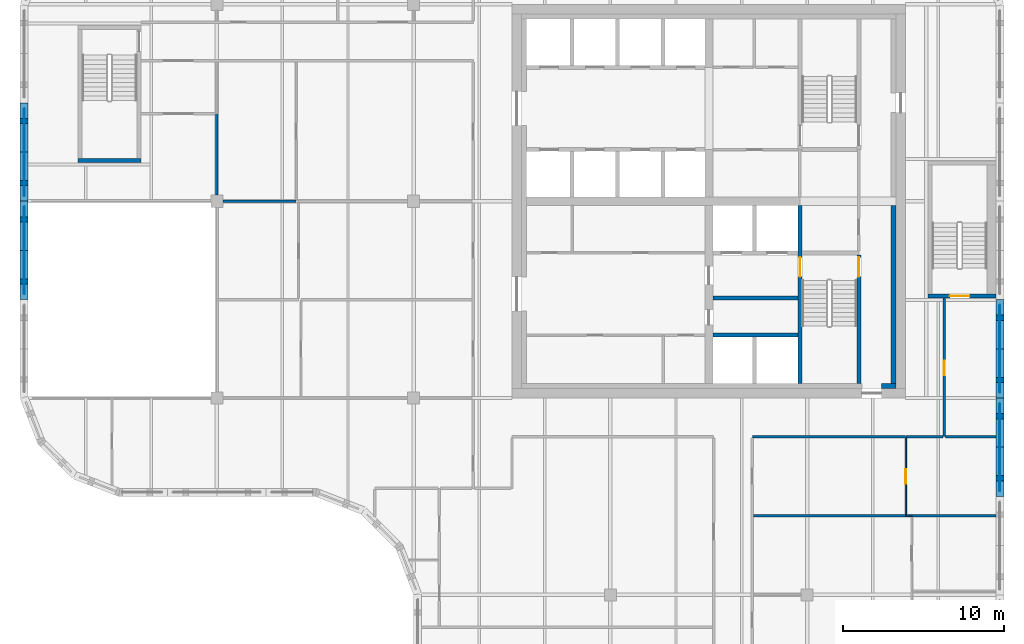
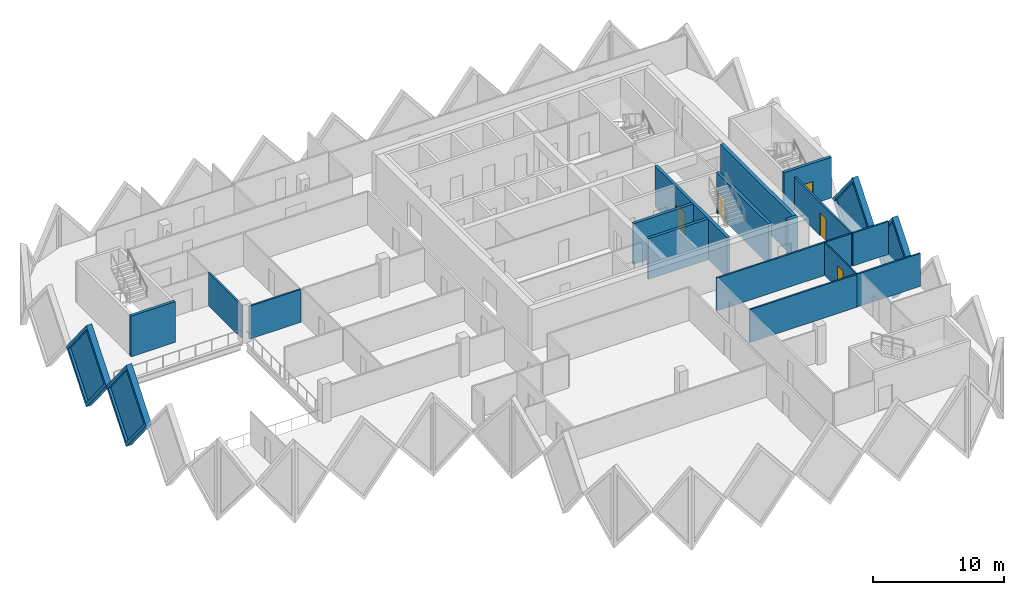
# One storey, part 6 of 12: 22 walls, 5 doors, 4 plates, 9 openings.
"""IFC4 building model written with IfcOpenShell, lengths in metres."""

import ifcopenshell
import ifcopenshell.guid

model = None  # the IFC model being written
_history = None  # IfcOwnerHistory: only IFC2X3 demands one
_inside = {}  # id of a spatial element -> (the spatial element, [elements in it])
_under = {}  # id of a project, library or spatial element -> (it, [spatial elements below it])
_declared = {}  # id of a project -> (the project, [libraries it declares])
_typed = {}  # id of a type object -> (the type object, [elements of that type])
_made_of = {}  # id of a material, layer set ... -> (it, [elements and type objects made of it])


def new_model(schema):
    """Start an empty IFC model of exactly this schema.

    Asked for "IFC4X3", IfcOpenShell would pick the latest addendum, in which some entities
    have other attributes; the version numbers below select the first issue.
    IFC2X3 requires an IfcOwnerHistory on every rooted entity: one is made here for all.
    """
    global model, _history
    if schema == "IFC4X3":
        model = ifcopenshell.file(schema_version=(4, 3, 0, 0))
    else:
        model = ifcopenshell.file(schema=schema)
    _inside.clear()
    _under.clear()
    _declared.clear()
    _typed.clear()
    _made_of.clear()
    _history = None
    if model.schema == "IFC2X3":
        org = make("IfcOrganization", Name="unknown")
        user = make(
            "IfcPersonAndOrganization",
            ThePerson=make("IfcPerson", FamilyName="unknown"),
            TheOrganization=org,
        )
        app = make(
            "IfcApplication",
            ApplicationDeveloper=org,
            Version="unknown",
            ApplicationFullName="unknown",
            ApplicationIdentifier="unknown",
        )
        _history = make(
            "IfcOwnerHistory",
            OwningUser=user,
            OwningApplication=app,
            ChangeAction="ADDED",
            CreationDate=0,
        )
    return model


def make(cls, **values):
    """One entity of the class cls with the attributes given. An attribute that is None is left unset."""
    return model.create_entity(
        cls, **{name: value for name, value in values.items() if value is not None}
    )


def rooted(cls, **values):
    """An entity with a GlobalId (a new one), such as an element, a storey or a relation."""
    return make(cls, GlobalId=ifcopenshell.guid.new(), OwnerHistory=_history, **values)


def si_unit(unit_type, name, prefix=None):
    """IfcSIUnit, for example si_unit("LENGTHUNIT", "METRE", prefix="MILLI")."""
    return make("IfcSIUnit", UnitType=unit_type, Prefix=prefix, Name=name)


def assignment(units):
    """IfcUnitAssignment: the units of a project."""
    return None if units is None else make("IfcUnitAssignment", Units=units)


def point(xyz):
    """IfcCartesianPoint."""
    return None if xyz is None else make("IfcCartesianPoint", Coordinates=xyz)


def direction(xyz):
    """IfcDirection."""
    return None if xyz is None else make("IfcDirection", DirectionRatios=xyz)


def frame(location, z_axis=None, x_axis=None):
    """IfcAxis2Placement3D, a coordinate frame: its origin and axes. An axis left out is left unset."""
    return make(
        "IfcAxis2Placement3D",
        Location=point(location),
        Axis=direction(z_axis),
        RefDirection=direction(x_axis),
    )


def frame_2d(location, x_axis=None):
    """IfcAxis2Placement2D, a coordinate frame in the plane: its origin and x axis."""
    return make(
        "IfcAxis2Placement2D", Location=point(location), RefDirection=direction(x_axis)
    )


def origin():
    """The frame at (0, 0, 0) with its axes left unset."""
    return frame((0.0, 0.0, 0.0))


def place(relative_to, where):
    """IfcLocalPlacement: puts the frame where relative to a parent placement (None: the world)."""
    return make(
        "IfcLocalPlacement", PlacementRelTo=relative_to, RelativePlacement=where
    )


def context(
    kind, dimensions, precision=None, world=None, true_north=None, identifier=None
):
    """IfcGeometricRepresentationContext, for example the 3D "Model" context."""
    return make(
        "IfcGeometricRepresentationContext",
        ContextIdentifier=identifier,
        ContextType=kind,
        CoordinateSpaceDimension=dimensions,
        Precision=precision,
        WorldCoordinateSystem=world,
        TrueNorth=true_north,
    )


def subcontext(parent, identifier, kind, view, scale=None):
    """IfcGeometricRepresentationSubContext, for example "Body" below "Model"."""
    return make(
        "IfcGeometricRepresentationSubContext",
        ContextIdentifier=identifier,
        ContextType=kind,
        ParentContext=parent,
        TargetScale=scale,
        TargetView=view,
    )


def project(units=None, contexts=None):
    """IfcProject with its units and contexts."""
    return rooted(
        "IfcProject",
        Name="project",
        RepresentationContexts=contexts,
        UnitsInContext=assignment(units),
    )


def spatial(cls, under=None, at=None, **own):
    """A site, building, storey or space (cls), placed at a placement, below another one or the project."""
    s = rooted(cls, ObjectPlacement=at, **own)
    if under is not None:
        _under.setdefault(under.id(), (under, []))[1].append(s)
    return s


def polyline(points):
    """IfcPolyline through the points."""
    return make("IfcPolyline", Points=[point(p) for p in points])


def profile(cls, at=None, kind="AREA", **sizes):
    """A parametric profile (cls). Its sizes go by their IFC names, for example OverallWidth=200.0."""
    return make(cls, ProfileType=kind, Position=at, **sizes)


def rectangle(**sizes):
    """IfcRectangleProfileDef."""
    return profile("IfcRectangleProfileDef", **sizes)


def outline(outer, holes=None, kind="AREA"):
    """IfcArbitraryClosedProfileDef: a profile drawn as a closed curve; with holes, ...WithVoids."""
    if holes is None:
        return make("IfcArbitraryClosedProfileDef", ProfileType=kind, OuterCurve=outer)
    return make(
        "IfcArbitraryProfileDefWithVoids",
        ProfileType=kind,
        OuterCurve=outer,
        InnerCurves=holes,
    )


def extrude(swept, where, along, depth):
    """IfcExtrudedAreaSolid: the profile swept, set in the frame where, extruded along a direction by depth."""
    return make(
        "IfcExtrudedAreaSolid",
        SweptArea=swept,
        Position=where,
        ExtrudedDirection=direction(along),
        Depth=depth,
    )


def faces_of(points, faces, orient=None, outer=None):
    """IfcFace entities. A face is a list of loops; a loop is a list of indices into points, from 0.

    orient and outer hold one flag for each loop. By default every Orientation is true, the
    first loop of a face is its IfcFaceOuterBound and the others are IfcFaceBound.
    """
    made = []
    for i, loops in enumerate(faces):
        bounds = []
        for j, loop in enumerate(loops):
            is_outer = j == 0 if outer is None else outer[i][j]
            bounds.append(
                make(
                    "IfcFaceOuterBound" if is_outer else "IfcFaceBound",
                    Bound=make("IfcPolyLoop", Polygon=[points[k] for k in loop]),
                    Orientation=True if orient is None else orient[i][j],
                )
            )
        made.append(make("IfcFace", Bounds=bounds))
    return made


def faceted_brep(points, faces, orient=None, outer=None, voids=None):
    """IfcFacetedBrep: a solid bounded by flat faces; with voids (closed shells), ...WithVoids."""
    shared = [point(p) for p in points]
    hull = make("IfcClosedShell", CfsFaces=faces_of(shared, faces, orient, outer))
    if voids is None:
        return make("IfcFacetedBrep", Outer=hull)
    return make(
        "IfcFacetedBrepWithVoids",
        Outer=hull,
        Voids=[
            make(cls, CfsFaces=faces_of(shared, fs, o, b)) for cls, fs, o, b in voids
        ],
    )


def shape(context_of_items, identifier, shape_type, items):
    """IfcShapeRepresentation: the items that make up one representation, for example the "Body"."""
    return make(
        "IfcShapeRepresentation",
        ContextOfItems=context_of_items,
        RepresentationIdentifier=identifier,
        RepresentationType=shape_type,
        Items=items,
    )


def source(mapping_origin, context_of_items, identifier, shape_type, items):
    """IfcRepresentationMap: a shape defined once, which mapped items show again and again."""
    return make(
        "IfcRepresentationMap",
        MappingOrigin=mapping_origin,
        MappedRepresentation=shape(context_of_items, identifier, shape_type, items),
    )


def transform(
    local_origin,
    x_axis=None,
    y_axis=None,
    z_axis=None,
    scale=None,
    scale2=None,
    scale3=None,
    uniform=True,
):
    """IfcCartesianTransformationOperator3D, or its non-uniform kind. x_axis, y_axis, z_axis: its Axis1, 2, 3."""
    if uniform:
        return make(
            "IfcCartesianTransformationOperator3D",
            Axis1=direction(x_axis),
            Axis2=direction(y_axis),
            LocalOrigin=point(local_origin),
            Scale=scale,
            Axis3=direction(z_axis),
        )
    return make(
        "IfcCartesianTransformationOperator3DnonUniform",
        Axis1=direction(x_axis),
        Axis2=direction(y_axis),
        LocalOrigin=point(local_origin),
        Scale=scale,
        Axis3=direction(z_axis),
        Scale2=scale2,
        Scale3=scale3,
    )


def mapped(mapping_source, mapping_target):
    """IfcMappedItem: shows the shape of a source again, moved by a transform."""
    return make(
        "IfcMappedItem", MappingSource=mapping_source, MappingTarget=mapping_target
    )


def material(Name=None, Category=None):
    """IfcMaterial."""
    return make("IfcMaterial", Name=Name, Category=Category)


def layer(
    of_material, thickness, ventilated=None, Name=None, Category=None, Priority=None
):
    """IfcMaterialLayer: one layer of a wall or slab, of a material (None: an air gap)."""
    return make(
        "IfcMaterialLayer",
        Material=of_material,
        LayerThickness=thickness,
        IsVentilated=ventilated,
        Name=Name,
        Category=Category,
        Priority=Priority,
    )


def layer_set(layers, Name=None):
    """IfcMaterialLayerSet."""
    return make("IfcMaterialLayerSet", MaterialLayers=layers, LayerSetName=Name)


def made_of(thing, what):
    """Note that an element or type object is made of a material, layer set ...; save() writes the relation."""
    if what is not None:
        _made_of.setdefault(what.id(), (what, []))[1].append(thing)
    return thing


def type_object(cls, material=None, **own):
    """A type object (cls), such as IfcWallType, which elements share."""
    return made_of(rooted(cls, **own), material)


def element(
    cls,
    number,
    at=None,
    inside=None,
    cuts=None,
    type_object=None,
    material=None,
    context=None,
    identifier="Body",
    shape_type=None,
    held_by="IfcProductDefinitionShape",
    body=None,
    shapes=None,
    **own,
):
    """One element of the class cls, such as IfcWall. Its Tag is "e" and its number.

    at: its placement. inside: the storey or other place that contains it. cuts: it is an
    opening in that element (IfcRelVoidsElement). A single representation is given by context,
    identifier, shape_type and body (its items); several are given by shapes. held_by: the class
    of the entity that holds the representations. save() writes the other relations.
    """
    e = rooted(cls, Tag="e%d" % number, ObjectPlacement=at, **own)
    if body is not None:
        shapes = [shape(context, identifier, shape_type, body)]
    if shapes is not None:
        e.Representation = make(held_by, Representations=shapes)
    if inside is not None:
        _inside.setdefault(inside.id(), (inside, []))[1].append(e)
    if cuts is not None:
        rooted(
            "IfcRelVoidsElement", RelatingBuildingElement=cuts, RelatedOpeningElement=e
        )
    if type_object is not None:
        _typed.setdefault(type_object.id(), (type_object, []))[1].append(e)
    return made_of(e, material)


def fill(opening, filler):
    """IfcRelFillsElement: the door or window that sits in an opening."""
    return rooted(
        "IfcRelFillsElement",
        RelatingOpeningElement=opening,
        RelatedBuildingElement=filler,
    )


def aggregate(whole, parts):
    """IfcRelAggregates: a whole, such as a stair, and the parts it consists of."""
    return rooted("IfcRelAggregates", RelatingObject=whole, RelatedObjects=parts)


def save(model, path):
    """Write the relations noted so far, then the file.

    IfcRelAggregates (storeys below a building ...), IfcRelContainedInSpatialStructure (elements
    in a storey), IfcRelDefinesByType, IfcRelAssociatesMaterial and IfcRelDeclares: one each for
    every whole, place, type object, material and project.
    """
    for whole, parts in _under.values():
        aggregate(whole, parts)
    for where, things in _inside.values():
        rooted(
            "IfcRelContainedInSpatialStructure",
            RelatedElements=things,
            RelatingStructure=where,
        )
    for kind, things in _typed.values():
        rooted("IfcRelDefinesByType", RelatedObjects=things, RelatingType=kind)
    for what, things in _made_of.values():
        rooted("IfcRelAssociatesMaterial", RelatedObjects=things, RelatingMaterial=what)
    for by, libraries in _declared.values():
        rooted("IfcRelDeclares", RelatingContext=by, RelatedDefinitions=libraries)
    model.write(path)


model = new_model("IFC4")

# Units and contexts
model_context = context("Model", 3, precision=1e-05, world=origin(), true_north=direction((0.0, 1.0)))
body_context = subcontext(model_context, "Body", "Model", "MODEL_VIEW")
ifc_project = project(units=[si_unit("LENGTHUNIT", "METRE"), si_unit("AREAUNIT", "SQUARE_METRE"), si_unit("VOLUMEUNIT", "CUBIC_METRE"), si_unit("PLANEANGLEUNIT", "RADIAN"), si_unit("MASSUNIT", "GRAM", prefix="KILO")], contexts=[model_context])

# Site, building, storey
site_placement = place(None, origin())
site = spatial("IfcSite", under=ifc_project, at=site_placement, CompositionType="ELEMENT")
building_placement = place(site_placement, origin())
building = spatial("IfcBuilding", under=site, at=building_placement, Name="Tessera Gate Towers", CompositionType="ELEMENT")
storey_placement = place(building_placement, frame((0.0, 0.0, 185.800048828125)))
storey = spatial("IfcBuildingStorey", under=building, at=storey_placement, Name="L46", CompositionType="ELEMENT", Elevation=185.800048828125)

# Wall, opening, door
ifc_material_1 = material(Name="Concrete C40/50", Category="concrete")
ifc_layer_1 = layer(ifc_material_1, 0.25)
ifc_layer_set_1 = layer_set([ifc_layer_1], Name="CORE ENCLOSURE WALL 250")
wall_type_1 = type_object("IfcWallType", Name="CORE ENCLOSURE WALL 250", PredefinedType="SOLIDWALL", material=ifc_layer_set_1)
wall_1_placement = place(storey_placement, frame((48.35009765625, 36.35009765625, 0.0), z_axis=(0.0, 0.0, 1.0), x_axis=(0.0, -1.0, 0.0)))
wall_1 = element("IfcWall", 1, at=wall_1_placement, inside=storey, type_object=wall_type_1, Name="L46 shaft and stair enclosure wall", PredefinedType="SOLIDWALL", context=body_context, shape_type="SweptSolid", body=[
    extrude(rectangle(XDim=11.050048828125, YDim=0.25, at=frame_2d((5.52490234375, 0.0))), origin(), (0.0, 0.0, 1.0), 3.800048828125),
])
shared_shape_1 = source(origin(), body_context, "Body", "SweptSolid", [
    extrude(rectangle(XDim=1.199951171875, YDim=2.10009765625, at=frame_2d((0.60009765625, 1.050048828125))), frame((0.0, 0.135009765625, 0.0), z_axis=(0.0, -1.0, 0.0), x_axis=(1.0, 0.0, 0.0)), (0.0, 0.0, 1.0), 0.27001953125),
])
opening_1_placement = place(wall_1_placement, frame((3.22509765625, 0.0, 0.0)))
opening_1 = element("IfcOpeningElement", 2, at=opening_1_placement, cuts=wall_1, Name="Opening SD-ST1-1", PredefinedType="OPENING", context=body_context, shape_type="MappedRepresentation", body=[
    mapped(shared_shape_1, transform((0.0, 0.0, 0.0), scale=1.0)),
])
ifc_material_2 = material(Name="Hollow steel fire door", Category="steel")
door_type_1 = type_object("IfcDoorType", Name="CORE DOOR SD 1200x2100", OperationType="NOTDEFINED", PredefinedType="DOOR", material=ifc_material_2)
shared_shape_2 = source(origin(), body_context, "Body", "SweptSolid", [
    extrude(rectangle(XDim=1.199951171875, YDim=2.10009765625, at=frame_2d((0.60009765625, 1.050048828125))), frame((0.0, 0.02490234375, 0.0), z_axis=(0.0, -1.0, 0.0), x_axis=(1.0, 0.0, 0.0)), (0.0, 0.0, 1.0), 0.050048828125),
])
door_1_placement = place(opening_1_placement, origin())
door_1 = element("IfcDoor", 3, at=door_1_placement, inside=storey, type_object=door_type_1, Name="Stair door", OperationType="SINGLE_SWING_LEFT", OverallHeight=2.10009765625, OverallWidth=1.199951171875, PredefinedType="DOOR", context=body_context, shape_type="MappedRepresentation", body=[
    mapped(shared_shape_2, transform((0.0, 0.0, 0.0), scale=1.0)),
])
fill(opening_1, door_1)

wall_2_placement = place(storey_placement, frame((52.0, 25.300048828125, 0.0), z_axis=(0.0, 0.0, 1.0), x_axis=(0.0, 1.0, 0.0)))
wall_2 = element("IfcWall", 4, at=wall_2_placement, inside=storey, type_object=wall_type_1, Name="L46 shaft and stair enclosure wall", PredefinedType="SOLIDWALL", context=body_context, shape_type="SweptSolid", body=[
    extrude(rectangle(XDim=7.974853515625, YDim=0.25, at=frame_2d((3.9873046875, 0.0))), origin(), (0.0, 0.0, 1.0), 3.800048828125),
])
opening_2_placement = place(wall_2_placement, frame((6.625, 0.0, 0.0)))
opening_2 = element("IfcOpeningElement", 5, at=opening_2_placement, cuts=wall_2, Name="Opening SD-ST1-2", PredefinedType="OPENING", context=body_context, shape_type="MappedRepresentation", body=[
    mapped(shared_shape_1, transform((0.0, 0.0, 0.0), scale=1.0)),
])
door_2_placement = place(opening_2_placement, origin())
door_2 = element("IfcDoor", 6, at=door_2_placement, inside=storey, type_object=door_type_1, Name="Stair door", OperationType="SINGLE_SWING_RIGHT", OverallHeight=2.10009765625, OverallWidth=1.199951171875, PredefinedType="DOOR", context=body_context, shape_type="MappedRepresentation", body=[
    mapped(shared_shape_2, transform((0.0, 0.0, 0.0), scale=1.0)),
])
fill(opening_2, door_2)

# Walls
for number, where, z_axis, x_axis, name in (
    (7, (42.949951171875, 28.300048828125, 0.0), (0.0, 0.0, 1.0), (1.0, 0.0, 0.0), "L46 shaft and stair enclosure wall"),
    (8, (42.949951171875, 30.60009765625, 0.0), (0.0, 0.0, 1.0), (1.0, 0.0, 0.0), "L46 shaft and stair enclosure wall"),
):
    element("IfcWall", number, at=place(storey_placement, frame(where, z_axis=z_axis, x_axis=x_axis)), inside=storey, type_object=wall_type_1, Name=name, PredefinedType="SOLIDWALL", context=body_context, shape_type="SweptSolid", body=[
        extrude(rectangle(XDim=5.275146484375, YDim=0.25, at=frame_2d((2.6376953125, 0.0))), origin(), (0.0, 0.0, 1.0), 3.800048828125),
    ])
wall_3_placement = place(storey_placement, frame((7.5, 39.125, 0.0), z_axis=(0.0, 0.0, 1.0), x_axis=(-1.0, 0.0, 0.0)))
element("IfcWall", 9, at=wall_3_placement, inside=storey, type_object=wall_type_1, Name="L46 ST3 enclosure wall", PredefinedType="SOLIDWALL", context=body_context, shape_type="SweptSolid", body=[
    extrude(rectangle(XDim=3.89990234375, YDim=0.25, at=frame_2d((1.949951171875, 0.0))), origin(), (0.0, 0.0, 1.0), 3.800048828125),
])

# Wall, opening, door
wall_4_placement = place(storey_placement, frame((60.5, 30.72509765625, 0.0), z_axis=(0.0, 0.0, 1.0), x_axis=(-1.0, 0.0, 0.0)))
wall_4 = element("IfcWall", 10, at=wall_4_placement, inside=storey, type_object=wall_type_1, Name="L46 ST5 enclosure wall", PredefinedType="SOLIDWALL", context=body_context, shape_type="SweptSolid", body=[
    extrude(rectangle(XDim=4.199951171875, YDim=0.25, at=frame_2d((2.10009765625, 0.0))), origin(), (0.0, 0.0, 1.0), 3.800048828125),
])
opening_3_placement = place(wall_4_placement, frame((1.64990234375, 0.0, 0.0)))
opening_3 = element("IfcOpeningElement", 11, at=opening_3_placement, cuts=wall_4, Name="Opening SD-ST5-1", PredefinedType="OPENING", context=body_context, shape_type="MappedRepresentation", body=[
    mapped(shared_shape_1, transform((0.0, 0.0, 0.0), scale=1.0)),
])
door_3_placement = place(opening_3_placement, origin())
door_3 = element("IfcDoor", 12, at=door_3_placement, inside=storey, type_object=door_type_1, Name="Stair door", OperationType="SINGLE_SWING_RIGHT", OverallHeight=2.10009765625, OverallWidth=1.199951171875, PredefinedType="DOOR", context=body_context, shape_type="MappedRepresentation", body=[
    mapped(shared_shape_2, transform((0.0, 0.0, 0.0), scale=1.0)),
])
fill(opening_3, door_3)

# Walls
ifc_material_3 = material(Name="Concrete C50/60", Category="concrete")
ifc_layer_2 = layer(ifc_material_3, 0.300048828125)
ifc_layer_set_2 = layer_set([ifc_layer_2], Name="CORE WALL THICKENING 300")
wall_type_2 = type_object("IfcWallType", Name="CORE WALL THICKENING 300", PredefinedType="SOLIDWALL", material=ifc_layer_set_2)
wall_5_placement = place(storey_placement, frame((53.39990234375, 25.14990234375, 0.0), z_axis=(0.0, 0.0, 1.0), x_axis=(1.0, 0.0, 0.0)))
element("IfcWall", 13, at=wall_5_placement, inside=storey, type_object=wall_type_2, Name="Core wall thickening S L46", PredefinedType="SOLIDWALL", context=body_context, shape_type="SweptSolid", body=[
    extrude(rectangle(XDim=0.900146484375, YDim=0.300048828125, at=frame_2d((0.4501953125, 0.0))), origin(), (0.0, 0.0, 1.0), 3.800048828125),
])
wall_6_placement = place(storey_placement, frame((54.14990234375, 25.300048828125, 0.0), z_axis=(0.0, 0.0, 1.0), x_axis=(0.0, 1.0, 0.0)))
element("IfcWall", 14, at=wall_6_placement, inside=storey, type_object=wall_type_2, Name="Core wall thickening E L46", PredefinedType="SOLIDWALL", context=body_context, shape_type="SweptSolid", body=[
    extrude(rectangle(XDim=11.02001953125, YDim=0.300048828125, at=frame_2d((5.510009765625, 0.0))), origin(), (0.0, 0.0, 1.0), 3.800048828125),
])
ifc_material_4 = material(Name="Gypsum board on steel studs, mineral wool", Category="steel")
ifc_layer_3 = layer(ifc_material_4, 0.14990234375)
ifc_layer_set_3 = layer_set([ifc_layer_3], Name="CORRIDOR WALL 150")
wall_type_3 = type_object("IfcWallType", Name="CORRIDOR WALL 150", PredefinedType="PARTITIONING", material=ifc_layer_set_3)
wall_7_placement = place(storey_placement, frame((45.39990234375, 22.0, 0.0), z_axis=(0.0, 0.0, 1.0), x_axis=(1.0, 0.0, 0.0)))
element("IfcWall", 15, at=wall_7_placement, inside=storey, type_object=wall_type_3, Name="T1-L46-PW-024", PredefinedType="PARTITIONING", context=body_context, shape_type="SweptSolid", body=[
    extrude(rectangle(XDim=9.5, YDim=0.14990234375, at=frame_2d((4.75, 0.0))), origin(), (0.0, 0.0, 1.0), 3.06689453125),
])
wall_8_placement = place(storey_placement, frame((54.9150390625, 22.0, 0.0), z_axis=(0.0, 0.0, 1.0), x_axis=(1.0, 0.0, 0.0)))
element("IfcWall", 16, at=wall_8_placement, inside=storey, type_object=wall_type_3, Name="T1-L46-PW-025", PredefinedType="PARTITIONING", context=body_context, shape_type="SweptSolid", body=[
    extrude(rectangle(XDim=2.30908203125, YDim=0.14990234375, at=frame_2d((1.154541015625, 0.0))), origin(), (0.0, 0.0, 1.0), 3.06689453125),
])

# Wall, opening, door
wall_9_placement = place(storey_placement, frame((57.300048828125, 30.60009765625, 0.0), z_axis=(0.0, 0.0, 1.0), x_axis=(0.0, -1.0, 0.0)))
wall_9 = element("IfcWall", 17, at=wall_9_placement, inside=storey, type_object=wall_type_3, Name="T1-L46-PW-026", PredefinedType="PARTITIONING", context=body_context, shape_type="SweptSolid", body=[
    extrude(rectangle(XDim=8.60009765625, YDim=0.14990234375, at=frame_2d((4.300048828125, 0.0))), origin(), (0.0, 0.0, 1.0), 3.06689453125),
])
shared_shape_3 = source(origin(), body_context, "Body", "SweptSolid", [
    extrude(rectangle(XDim=0.89990234375, YDim=2.10009765625, at=frame_2d((0.449951171875, 1.050048828125))), frame((0.0, 0.0849609375, 0.0), z_axis=(0.0, -1.0, 0.0), x_axis=(1.0, 0.0, 0.0)), (0.0, 0.0, 1.0), 0.169921875),
])
opening_4_placement = place(wall_9_placement, frame((3.89990234375, 0.0, 0.0)))
opening_4 = element("IfcOpeningElement", 18, at=opening_4_placement, cuts=wall_9, Name="Opening D890FD60-A17-05", PredefinedType="OPENING", context=body_context, shape_type="MappedRepresentation", body=[
    mapped(shared_shape_3, transform((0.0, 0.0, 0.0), scale=1.0)),
])
ifc_material_5 = material(Name="Timber door leaf in steel frame", Category="steel")
door_type_2 = type_object("IfcDoorType", Name="CORRIDOR DOOR 900 FD60", OperationType="NOTDEFINED", PredefinedType="DOOR", material=ifc_material_5)
shared_shape_4 = source(origin(), body_context, "Body", "SweptSolid", [
    extrude(rectangle(XDim=0.89990234375, YDim=2.10009765625, at=frame_2d((0.449951171875, 1.050048828125))), frame((0.0, 0.02490234375, 0.0), z_axis=(0.0, -1.0, 0.0), x_axis=(1.0, 0.0, 0.0)), (0.0, 0.0, 1.0), 0.050048828125),
])
door_4_placement = place(opening_4_placement, origin())
door_4 = element("IfcDoor", 19, at=door_4_placement, inside=storey, type_object=door_type_2, Name="T1-L46-PD-021", OperationType="SINGLE_SWING_RIGHT", OverallHeight=2.10009765625, OverallWidth=0.89990234375, PredefinedType="DOOR", context=body_context, shape_type="MappedRepresentation", body=[
    mapped(shared_shape_4, transform((0.0, 0.0, 0.0), scale=1.0)),
])
fill(opening_4, door_4)

# Wall
ifc_material_6 = material(Name="Glass", Category="glass")
ifc_layer_4 = layer(ifc_material_6, 0.10009765625)
ifc_layer_set_4 = layer_set([ifc_layer_4], Name="GLAZED PARTITION 100")
wall_type_4 = type_object("IfcWallType", Name="GLAZED PARTITION 100", PredefinedType="PARTITIONING", material=ifc_layer_set_4)
wall_10_placement = place(storey_placement, frame((54.916015625, 17.10009765625, 0.0), z_axis=(0.0, 0.0, 1.0), x_axis=(1.0, 0.0, 0.0)))
element("IfcWall", 20, at=wall_10_placement, inside=storey, type_object=wall_type_4, Name="T1-L46-PW-014", PredefinedType="PARTITIONING", context=body_context, shape_type="SweptSolid", body=[
    extrude(rectangle(XDim=0.373046875, YDim=0.10009765625, at=frame_2d((0.1865234375, 0.0))), origin(), (0.0, 0.0, 1.0), 3.06689453125),
])

# Wall, opening, door
wall_11_placement = place(storey_placement, frame((54.9150390625, 21.924072265625, 0.0), z_axis=(0.0, 0.0, 1.0), x_axis=(0.0, -1.0, 0.0)))
wall_11 = element("IfcWall", 21, at=wall_11_placement, inside=storey, type_object=wall_type_4, Name="T1-L46-PW-016", PredefinedType="PARTITIONING", context=body_context, shape_type="SweptSolid", body=[
    extrude(rectangle(XDim=4.748046875, YDim=0.10009765625, at=frame_2d((2.3740234375, 0.0))), origin(), (0.0, 0.0, 1.0), 3.06689453125),
])
shared_shape_5 = source(origin(), body_context, "Body", "SweptSolid", [
    extrude(rectangle(XDim=0.89990234375, YDim=2.10009765625, at=frame_2d((0.449951171875, 1.050048828125))), frame((0.0, 0.06005859375, 0.0), z_axis=(0.0, -1.0, 0.0), x_axis=(1.0, 0.0, 0.0)), (0.0, 0.0, 1.0), 0.1201171875),
])
opening_5_placement = place(wall_11_placement, frame((1.947998046875, 0.0, 0.0)))
opening_5 = element("IfcOpeningElement", 22, at=opening_5_placement, cuts=wall_11, Name="Opening D690-A17-03", PredefinedType="OPENING", context=body_context, shape_type="MappedRepresentation", body=[
    mapped(shared_shape_5, transform((0.0, 0.0, 0.0), scale=1.0)),
])
ifc_material_7 = material(Name="Glass in aluminium frame", Category="aluminium")
door_type_3 = type_object("IfcDoorType", Name="GLAZED DOOR 900 NOT RATED", OperationType="NOTDEFINED", PredefinedType="DOOR", material=ifc_material_7)
door_5_placement = place(opening_5_placement, origin())
door_5 = element("IfcDoor", 23, at=door_5_placement, inside=storey, type_object=door_type_3, Name="T1-L46-PD-008", OperationType="SINGLE_SWING_RIGHT", OverallHeight=2.10009765625, OverallWidth=0.89990234375, PredefinedType="DOOR", context=body_context, shape_type="MappedRepresentation", body=[
    mapped(shared_shape_4, transform((0.0, 0.0, 0.0), scale=1.0)),
])
fill(opening_5, door_5)

# Walls
ifc_material_8 = material(Name="Gypsum board on steel studs, mineral wool", Category="steel")
ifc_layer_5 = layer(ifc_material_8, 0.14990234375)
ifc_layer_set_5 = layer_set([ifc_layer_5], Name="TENANCY WALL 150")
wall_type_5 = type_object("IfcWallType", Name="TENANCY WALL 150", PredefinedType="PARTITIONING", material=ifc_layer_set_5)
wall_12_placement = place(storey_placement, frame((45.47607421875, 17.10009765625, 0.0), z_axis=(0.0, 0.0, 1.0), x_axis=(1.0, 0.0, 0.0)))
element("IfcWall", 24, at=wall_12_placement, inside=storey, type_object=wall_type_5, Name="T1-L46-PW-013", PredefinedType="PARTITIONING", context=body_context, shape_type="SweptSolid", body=[
    extrude(rectangle(XDim=9.43896484375, YDim=0.14990234375, at=frame_2d((4.719482421875, 0.0))), origin(), (0.0, 0.0, 1.0), 3.06689453125),
])
wall_13_placement = place(storey_placement, frame((55.2900390625, 17.10009765625, 0.0), z_axis=(0.0, 0.0, 1.0), x_axis=(1.0, 0.0, 0.0)))
element("IfcWall", 25, at=wall_13_placement, inside=storey, type_object=wall_type_5, Name="T1-L46-PW-015", PredefinedType="PARTITIONING", context=body_context, shape_type="SweptSolid", body=[
    extrude(rectangle(XDim=5.2099609375, YDim=0.14990234375, at=frame_2d((2.60498046875, 0.0))), origin(), (0.0, 0.0, 1.0), 3.06689453125),
])
wall_14_placement = place(storey_placement, frame((57.3759765625, 22.0, 0.0), z_axis=(0.0, 0.0, 1.0), x_axis=(1.0, 0.0, 0.0)))
element("IfcWall", 26, at=wall_14_placement, inside=storey, type_object=wall_type_5, Name="T1-L46-PW-027", PredefinedType="PARTITIONING", context=body_context, shape_type="SweptSolid", body=[
    extrude(rectangle(XDim=3.1240234375, YDim=0.14990234375, at=frame_2d((1.56201171875, 0.0))), origin(), (0.0, 0.0, 1.0), 3.06689453125),
])
wall_15_placement = place(storey_placement, frame((12.575927734375, 36.60009765625, 0.0), z_axis=(0.0, 0.0, 1.0), x_axis=(1.0, 0.0, 0.0)))
element("IfcWall", 27, at=wall_15_placement, inside=storey, type_object=wall_type_5, Name="T1-L46-PW-034", PredefinedType="PARTITIONING", context=body_context, shape_type="SweptSolid", body=[
    extrude(rectangle(XDim=4.549072265625, YDim=0.14990234375, at=frame_2d((2.2744140625, 0.0))), origin(), (0.0, 0.0, 1.0), 3.06689453125),
])
wall_16_placement = place(storey_placement, frame((12.199951171875, 36.97607421875, 0.0), z_axis=(0.0, 0.0, 1.0), x_axis=(0.0, 1.0, 0.0)))
element("IfcWall", 28, at=wall_16_placement, inside=storey, type_object=wall_type_5, Name="T1-L46-PW-038", PredefinedType="PARTITIONING", context=body_context, shape_type="SweptSolid", body=[
    extrude(rectangle(XDim=5.048828125, YDim=0.14990234375, at=frame_2d((2.5244140625, 0.0))), origin(), (0.0, 0.0, 1.0), 3.06689453125),
])

# Wall, opening, plate
ifc_material_9 = material(Name="Precast concrete C60/75 white", Category="concrete")
ifc_layer_6 = layer(ifc_material_9, 0.5)
ifc_layer_set_6 = layer_set([ifc_layer_6], Name="TS1 tessera")
wall_type_6 = type_object("IfcWallType", Name="TS1 tessera", PredefinedType="SOLIDWALL", material=ifc_layer_set_6)
shared_shape_6 = source(origin(), body_context, "Body", "Brep", [
    faceted_brep([(3.050048828125, -0.25, 0.0), (6.099853515625, -0.25, 3.7998046875), (6.099853515625, -0.25, 3.80029296875), (3.050048828125, -0.25, 7.60009765625), (0.0, -0.25, 3.800048828125), (0.0, 0.25, 3.800048828125), (3.050048828125, 0.25, 7.60009765625), (6.099853515625, 0.25, 3.80029296875), (6.099853515625, 0.25, 3.7998046875), (3.050048828125, 0.25, 0.0)], [[[0, 1, 2, 3, 4]], [[5, 6, 7, 8, 9]], [[9, 8, 1, 0]], [[7, 6, 3, 2]], [[6, 5, 4, 3]], [[5, 9, 0, 4]], [[1, 8, 7, 2]]]),
])
wall_17_placement = place(storey_placement, frame((60.75, 18.300048828125, -3.800048828125), z_axis=(0.0, 0.0, 1.0), x_axis=(0.0, 1.0, 0.0)))
wall_17 = element("IfcWall", 29, at=wall_17_placement, inside=storey, type_object=wall_type_6, Name="Precast tessera T1 TS1-0810", PredefinedType="SOLIDWALL", context=body_context, shape_type="MappedRepresentation", body=[
    mapped(shared_shape_6, transform((0.0, 0.0, 0.0), scale=1.0)),
])
shared_shape_7 = source(origin(), body_context, "Body", "SweptSolid", [
    extrude(outline(polyline([(3.050048828125, 0.3994140625), (5.779541015625, 3.800048828125), (3.050048828125, 7.20068359375), (0.320556640625, 3.800048828125), (3.050048828125, 0.3994140625)])), frame((0.0, 0.260009765625, 0.0), z_axis=(0.0, -1.0, 0.0), x_axis=(1.0, 0.0, 0.0)), (0.0, 0.0, 1.0), 0.52001953125),
])
opening_6_placement = place(wall_17_placement, origin())
opening_6 = element("IfcOpeningElement", 30, at=opening_6_placement, cuts=wall_17, Name="Opening T1-PL2-1656", PredefinedType="OPENING", context=body_context, shape_type="MappedRepresentation", body=[
    mapped(shared_shape_7, transform((0.0, 0.0, 0.0), scale=1.0)),
])
ifc_material_10 = material(Name="Low-e laminated glass", Category="glass")
ifc_layer_7 = layer(ifc_material_10, 0.06005859375)
ifc_layer_set_7 = layer_set([ifc_layer_7], Name="PL2 rhombic pane")
plate_type = type_object("IfcPlateType", Name="PL2 rhombic pane", PredefinedType="SHEET", material=ifc_layer_set_7)
shared_shape_8 = source(origin(), body_context, "Body", "SweptSolid", [
    extrude(outline(polyline([(3.050048828125, 0.3994140625), (5.779541015625, 3.800048828125), (3.050048828125, 7.20068359375), (0.320556640625, 3.800048828125), (3.050048828125, 0.3994140625)])), frame((0.0, 0.030029296875, 0.0), z_axis=(0.0, -1.0, 0.0), x_axis=(1.0, 0.0, 0.0)), (0.0, 0.0, 1.0), 0.06005859375),
])
plate_1_placement = place(opening_6_placement, origin())
plate_1 = element("IfcPlate", 31, at=plate_1_placement, inside=storey, type_object=plate_type, Name="Glass pane T1 PL2-1656", PredefinedType="SHEET", context=body_context, shape_type="MappedRepresentation", body=[
    mapped(shared_shape_8, transform((0.0, 0.0, 0.0), scale=1.0)),
])
fill(opening_6, plate_1)

wall_18_placement = place(storey_placement, frame((0.25, 42.699951171875, -3.800048828125), z_axis=(0.0, 0.0, 1.0), x_axis=(0.0, -1.0, 0.0)))
wall_18 = element("IfcWall", 32, at=wall_18_placement, inside=storey, type_object=wall_type_6, Name="Precast tessera T1 TS1-0823", PredefinedType="SOLIDWALL", context=body_context, shape_type="MappedRepresentation", body=[
    mapped(shared_shape_6, transform((0.0, 0.0, 0.0), scale=1.0)),
])
opening_7_placement = place(wall_18_placement, origin())
opening_7 = element("IfcOpeningElement", 33, at=opening_7_placement, cuts=wall_18, Name="Opening T1-PL2-1677", PredefinedType="OPENING", context=body_context, shape_type="MappedRepresentation", body=[
    mapped(shared_shape_7, transform((0.0, 0.0, 0.0), scale=1.0)),
])
plate_2_placement = place(opening_7_placement, origin())
plate_2 = element("IfcPlate", 34, at=plate_2_placement, inside=storey, type_object=plate_type, Name="Glass pane T1 PL2-1677", PredefinedType="SHEET", context=body_context, shape_type="MappedRepresentation", body=[
    mapped(shared_shape_8, transform((0.0, 0.0, 0.0), scale=1.0)),
])
fill(opening_7, plate_2)

shared_shape_9 = source(origin(), body_context, "Body", "SweptSolid", [
    extrude(outline(polyline([(3.050048828125, 0.0), (6.10009765625, 3.800048828125), (3.050048828125, 7.60009765625), (0.0, 3.800048828125), (3.050048828125, 0.0)])), frame((0.0, 0.25, 0.0), z_axis=(0.0, -1.0, 0.0), x_axis=(1.0, 0.0, 0.0)), (0.0, 0.0, 1.0), 0.5),
])
wall_19_placement = place(storey_placement, frame((60.75, 24.39990234375, -3.800048828125), z_axis=(0.0, 0.0, 1.0), x_axis=(0.0, 1.0, 0.0)))
wall_19 = element("IfcWall", 35, at=wall_19_placement, inside=storey, type_object=wall_type_6, Name="Precast tessera T1 TS1-0811", PredefinedType="SOLIDWALL", context=body_context, shape_type="MappedRepresentation", body=[
    mapped(shared_shape_9, transform((0.0, 0.0, 0.0), scale=1.0)),
])
opening_8_placement = place(wall_19_placement, origin())
opening_8 = element("IfcOpeningElement", 36, at=opening_8_placement, cuts=wall_19, Name="Opening T1-PL2-1657", PredefinedType="OPENING", context=body_context, shape_type="MappedRepresentation", body=[
    mapped(shared_shape_7, transform((0.0, 0.0, 0.0), scale=1.0)),
])
plate_3_placement = place(opening_8_placement, origin())
plate_3 = element("IfcPlate", 37, at=plate_3_placement, inside=storey, type_object=plate_type, Name="Glass pane T1 PL2-1657", PredefinedType="SHEET", context=body_context, shape_type="MappedRepresentation", body=[
    mapped(shared_shape_8, transform((0.0, 0.0, 0.0), scale=1.0)),
])
fill(opening_8, plate_3)

wall_20_placement = place(storey_placement, frame((0.25, 36.60009765625, -3.800048828125), z_axis=(0.0, 0.0, 1.0), x_axis=(0.0, -1.0, 0.0)))
wall_20 = element("IfcWall", 38, at=wall_20_placement, inside=storey, type_object=wall_type_6, Name="Precast tessera T1 TS1-0824", PredefinedType="SOLIDWALL", context=body_context, shape_type="MappedRepresentation", body=[
    mapped(shared_shape_9, transform((0.0, 0.0, 0.0), scale=1.0)),
])
opening_9_placement = place(wall_20_placement, origin())
opening_9 = element("IfcOpeningElement", 39, at=opening_9_placement, cuts=wall_20, Name="Opening T1-PL2-1678", PredefinedType="OPENING", context=body_context, shape_type="MappedRepresentation", body=[
    mapped(shared_shape_7, transform((0.0, 0.0, 0.0), scale=1.0)),
])
plate_4_placement = place(opening_9_placement, origin())
plate_4 = element("IfcPlate", 40, at=plate_4_placement, inside=storey, type_object=plate_type, Name="Glass pane T1 PL2-1678", PredefinedType="SHEET", context=body_context, shape_type="MappedRepresentation", body=[
    mapped(shared_shape_8, transform((0.0, 0.0, 0.0), scale=1.0)),
])
fill(opening_9, plate_4)

save(model, "model.ifc")
